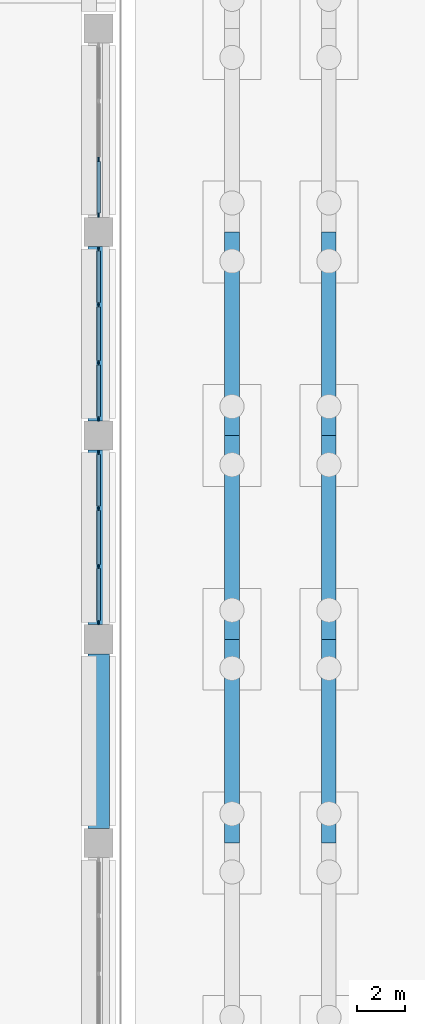
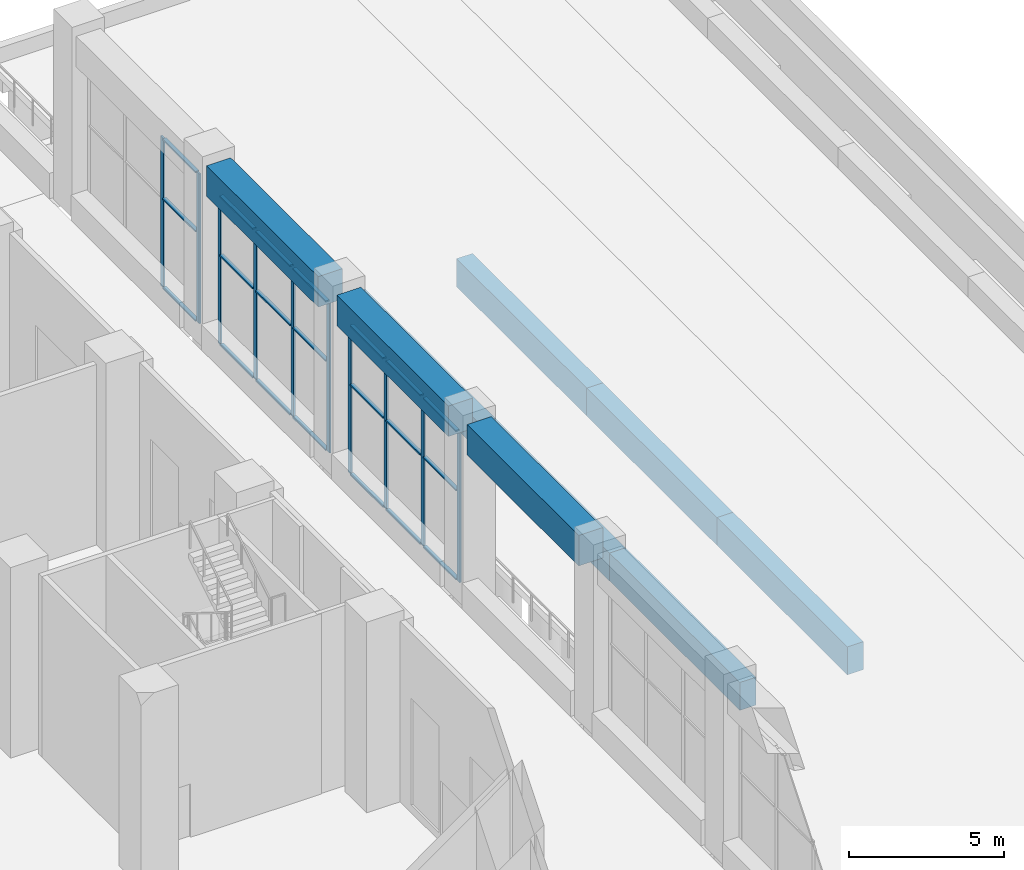
# One storey, part 10 of 53: 31 members, 9 beams, 3 elements without a shape of their own.
"""IFC4 building model written with IfcOpenShell, lengths in metres."""

from ifc_helpers import new_model, si_unit, direction, frame, origin, origin_2d, place, context, subcontext, project, spatial, rectangle, extrude, material, material_profile, profile_set, type_object, element, aggregate, save


model = new_model("IFC4")

# Units and contexts
model_context = context("Model", 3, precision=1e-05, world=origin(), true_north=direction((0.0, 1.0)))
body_context = subcontext(model_context, "Body", "Model", "MODEL_VIEW")
ifc_project = project(units=[si_unit("LENGTHUNIT", "METRE"), si_unit("AREAUNIT", "SQUARE_METRE"), si_unit("VOLUMEUNIT", "CUBIC_METRE"), si_unit("PLANEANGLEUNIT", "RADIAN"), si_unit("MASSUNIT", "GRAM", prefix="KILO")], contexts=[model_context])

# Site, building, storey
site_placement = place(None, origin())
site = spatial("IfcSite", under=ifc_project, at=site_placement, CompositionType="ELEMENT")
building_placement = place(site_placement, origin())
building = spatial("IfcBuilding", under=site, at=building_placement, Name="Vermilion Ogive Tower", CompositionType="ELEMENT")
storey_placement = place(building_placement, origin())
storey = spatial("IfcBuildingStorey", under=building, at=storey_placement, Name="L00", CompositionType="ELEMENT", Elevation=0.0)

# Beams
ifc_material_1 = material(Name="Concrete B45", Category="concrete")
ifc_material_profile_1 = material_profile(ifc_material_1, rectangle(XDim=0.89990234375, YDim=1.199951171875, at=origin_2d()), Name="RC 900x1200")
ifc_profile_set_1 = profile_set([ifc_material_profile_1], Name="Concrete B45")
beam_type_1 = type_object("IfcBeamType", Name="Arcade edge beam AB1 900x1200", PredefinedType="BEAM", material=ifc_profile_set_1)
beam_1_placement = place(storey_placement, frame((58.800048828125, -3.60009765625, 6.5), z_axis=(0.0, 1.0, 0.0), x_axis=(-1.0, 0.0, 0.0)))
element("IfcBeam", 1, at=beam_1_placement, inside=storey, type_object=beam_type_1, Name="Arcade edge beam L00 04", PredefinedType="BEAM", context=body_context, shape_type="SweptSolid", body=[
    extrude(rectangle(XDim=0.89990234375, YDim=1.199951171875, at=origin_2d()), origin(), (0.0, 0.0, 1.0), 7.2001953125),
])
for number, where, z_axis, x_axis, name in (
    (2, (58.800048828125, 4.800048828125, 6.5), (0.0, 1.0, 0.0), (-1.0, 0.0, 0.0), "Arcade edge beam L00 05"),
    (3, (58.800048828125, 13.199951171875, 6.5), (0.0, 1.0, 0.0), (-1.0, 0.0, 0.0), "Arcade edge beam L00 06"),
):
    element("IfcBeam", number, at=place(storey_placement, frame(where, z_axis=z_axis, x_axis=x_axis)), inside=storey, type_object=beam_type_1, Name=name, PredefinedType="BEAM", context=body_context, shape_type="SweptSolid", body=[
        extrude(rectangle(XDim=0.89990234375, YDim=1.199951171875, at=origin_2d()), origin(), (0.0, 0.0, 1.0), 7.199951171875),
    ])

# Curtain wall, members
ifc_material_2 = material(Name="Clear double glazing in aluminium frame", Category="aluminium")
curtain_wall_type = type_object("IfcCurtainWallType", Name="Curtain wall CW2", PredefinedType="NOTDEFINED", material=ifc_material_2)
curtain_wall_1_placement = place(storey_placement, origin())
curtain_wall_1 = element("IfcCurtainWall", 4, at=curtain_wall_1_placement, inside=storey, type_object=curtain_wall_type, Name="CW2 arcade glazing L00 5", PredefinedType="NOTDEFINED")
ifc_material_3 = material(Name="Aluminium mullion", Category="aluminium")
ifc_material_profile_2 = material_profile(ifc_material_3, rectangle(XDim=0.06005859375, YDim=0.179931640625, at=origin_2d()), Name="AL 60x180")
ifc_profile_set_2 = profile_set([ifc_material_profile_2], Name="Aluminium mullion")
member_type_1 = type_object("IfcMemberType", Name="CW2 mullion 60x180", PredefinedType="MULLION", material=ifc_profile_set_2)
member_1_placement = place(storey_placement, frame((58.800048828125, 4.889892578125, 0.0), z_axis=(0.0, 0.0, 1.0), x_axis=(-1.0, 0.0, 0.0)))
member_1 = element("IfcMember", 5, at=member_1_placement, type_object=member_type_1, Name="CW2-005 mullion 1", PredefinedType="MULLION", context=body_context, shape_type="SweptSolid", body=[
    extrude(rectangle(XDim=0.06005859375, YDim=0.179931640625, at=origin_2d()), origin(), (0.0, 0.0, 1.0), 5.89990234375),
])
member_2_placement = place(storey_placement, frame((58.800048828125, 7.199951171875, 0.0), z_axis=(0.0, 0.0, 1.0), x_axis=(-1.0, 0.0, 0.0)))
member_2 = element("IfcMember", 6, at=member_2_placement, type_object=member_type_1, Name="CW2-005 mullion 2", PredefinedType="MULLION", context=body_context, shape_type="SweptSolid", body=[
    extrude(rectangle(XDim=0.06005859375, YDim=0.179931640625, at=origin_2d()), origin(), (0.0, 0.0, 1.0), 5.89990234375),
])
member_3_placement = place(storey_placement, frame((58.800048828125, 9.60009765625, 0.0), z_axis=(0.0, 0.0, 1.0), x_axis=(-1.0, 0.0, 0.0)))
member_3 = element("IfcMember", 7, at=member_3_placement, type_object=member_type_1, Name="CW2-005 mullion 3", PredefinedType="MULLION", context=body_context, shape_type="SweptSolid", body=[
    extrude(rectangle(XDim=0.06005859375, YDim=0.179931640625, at=origin_2d()), origin(), (0.0, 0.0, 1.0), 5.89990234375),
])
member_4_placement = place(storey_placement, frame((58.800048828125, 11.909912109375, 0.0), z_axis=(0.0, 0.0, 1.0), x_axis=(-1.0, 0.0, 0.0)))
member_4 = element("IfcMember", 8, at=member_4_placement, type_object=member_type_1, Name="CW2-005 mullion 4", PredefinedType="MULLION", context=body_context, shape_type="SweptSolid", body=[
    extrude(rectangle(XDim=0.06005859375, YDim=0.179931640625, at=origin_2d()), origin(), (0.0, 0.0, 1.0), 5.89990234375),
])

curtain_wall_2_placement = place(storey_placement, origin())
curtain_wall_2 = element("IfcCurtainWall", 9, at=curtain_wall_2_placement, inside=storey, type_object=curtain_wall_type, Name="CW2 arcade glazing L00 6", PredefinedType="NOTDEFINED")
member_5_placement = place(storey_placement, frame((58.800048828125, 13.2900390625, 0.0), z_axis=(0.0, 0.0, 1.0), x_axis=(-1.0, 0.0, 0.0)))
member_5 = element("IfcMember", 10, at=member_5_placement, type_object=member_type_1, Name="CW2-006 mullion 1", PredefinedType="MULLION", context=body_context, shape_type="SweptSolid", body=[
    extrude(rectangle(XDim=0.06005859375, YDim=0.179931640625, at=origin_2d()), origin(), (0.0, 0.0, 1.0), 5.89990234375),
])
member_6_placement = place(storey_placement, frame((58.800048828125, 15.60009765625, 0.0), z_axis=(0.0, 0.0, 1.0), x_axis=(-1.0, 0.0, 0.0)))
member_6 = element("IfcMember", 11, at=member_6_placement, type_object=member_type_1, Name="CW2-006 mullion 2", PredefinedType="MULLION", context=body_context, shape_type="SweptSolid", body=[
    extrude(rectangle(XDim=0.06005859375, YDim=0.179931640625, at=origin_2d()), origin(), (0.0, 0.0, 1.0), 5.89990234375),
])
member_7_placement = place(storey_placement, frame((58.800048828125, 18.0, 0.0), z_axis=(0.0, 0.0, 1.0), x_axis=(-1.0, 0.0, 0.0)))
member_7 = element("IfcMember", 12, at=member_7_placement, type_object=member_type_1, Name="CW2-006 mullion 3", PredefinedType="MULLION", context=body_context, shape_type="SweptSolid", body=[
    extrude(rectangle(XDim=0.06005859375, YDim=0.179931640625, at=origin_2d()), origin(), (0.0, 0.0, 1.0), 5.89990234375),
])
member_8_placement = place(storey_placement, frame((58.800048828125, 20.31005859375, 0.0), z_axis=(0.0, 0.0, 1.0), x_axis=(-1.0, 0.0, 0.0)))
member_8 = element("IfcMember", 13, at=member_8_placement, type_object=member_type_1, Name="CW2-006 mullion 4", PredefinedType="MULLION", context=body_context, shape_type="SweptSolid", body=[
    extrude(rectangle(XDim=0.06005859375, YDim=0.179931640625, at=origin_2d()), origin(), (0.0, 0.0, 1.0), 5.89990234375),
])

curtain_wall_3_placement = place(storey_placement, origin())
curtain_wall_3 = element("IfcCurtainWall", 14, at=curtain_wall_3_placement, inside=storey, type_object=curtain_wall_type, Name="CW2 arcade glazing L00 7", PredefinedType="NOTDEFINED")
member_9_placement = place(storey_placement, frame((58.800048828125, 21.68994140625, 0.0), z_axis=(0.0, 0.0, 1.0), x_axis=(-1.0, 0.0, 0.0)))
member_9 = element("IfcMember", 15, at=member_9_placement, type_object=member_type_1, Name="CW2-007 mullion 1", PredefinedType="MULLION", context=body_context, shape_type="SweptSolid", body=[
    extrude(rectangle(XDim=0.06005859375, YDim=0.179931640625, at=origin_2d()), origin(), (0.0, 0.0, 1.0), 5.89990234375),
])
member_10_placement = place(storey_placement, frame((58.800048828125, 24.0, 0.0), z_axis=(0.0, 0.0, 1.0), x_axis=(-1.0, 0.0, 0.0)))
member_10 = element("IfcMember", 16, at=member_10_placement, type_object=member_type_1, Name="CW2-007 mullion 2", PredefinedType="MULLION", context=body_context, shape_type="SweptSolid", body=[
    extrude(rectangle(XDim=0.06005859375, YDim=0.179931640625, at=origin_2d()), origin(), (0.0, 0.0, 1.0), 5.89990234375),
])

# Member
ifc_material_4 = material(Name="Aluminium transom", Category="aluminium")
ifc_material_profile_3 = material_profile(ifc_material_4, rectangle(XDim=0.139892578125, YDim=0.06005859375, at=origin_2d()), Name="AL 60x140")
ifc_profile_set_3 = profile_set([ifc_material_profile_3], Name="Aluminium transom")
member_type_2 = type_object("IfcMemberType", Name="CW2 transom 60x140", PredefinedType="USERDEFINED", material=ifc_profile_set_3)
member_11_placement = place(storey_placement, frame((58.800048828125, 4.97998046875, 0.030029296875), z_axis=(0.0, 1.0, 0.0), x_axis=(-1.0, 0.0, 0.0)))
member_11 = element("IfcMember", 17, at=member_11_placement, type_object=member_type_2, Name="CW2-005 transom 1.1", ObjectType="TRANSOM", PredefinedType="USERDEFINED", context=body_context, shape_type="SweptSolid", body=[
    extrude(rectangle(XDim=0.139892578125, YDim=0.06005859375, at=origin_2d()), origin(), (0.0, 0.0, 1.0), 2.130126953125),
])

member_12_placement = place(storey_placement, frame((58.800048828125, 4.97998046875, 3.5400390625), z_axis=(0.0, 1.0, 0.0), x_axis=(-1.0, 0.0, 0.0)))
member_12 = element("IfcMember", 18, at=member_12_placement, type_object=member_type_2, Name="CW2-005 transom 1.2", ObjectType="TRANSOM", PredefinedType="USERDEFINED", context=body_context, shape_type="SweptSolid", body=[
    extrude(rectangle(XDim=0.139892578125, YDim=0.06005859375, at=origin_2d()), origin(), (0.0, 0.0, 1.0), 2.130126953125),
])

member_13_placement = place(storey_placement, frame((58.800048828125, 4.97998046875, 5.8701171875), z_axis=(0.0, 1.0, 0.0), x_axis=(-1.0, 0.0, 0.0)))
member_13 = element("IfcMember", 19, at=member_13_placement, type_object=member_type_2, Name="CW2-005 transom 1.3", ObjectType="TRANSOM", PredefinedType="USERDEFINED", context=body_context, shape_type="SweptSolid", body=[
    extrude(rectangle(XDim=0.139892578125, YDim=0.06005859375, at=origin_2d()), origin(), (0.0, 0.0, 1.0), 2.130126953125),
])

member_14_placement = place(storey_placement, frame((58.800048828125, 7.2900390625, 0.030029296875), z_axis=(0.0, 1.0, 0.0), x_axis=(-1.0, 0.0, 0.0)))
member_14 = element("IfcMember", 20, at=member_14_placement, type_object=member_type_2, Name="CW2-005 transom 2.1", ObjectType="TRANSOM", PredefinedType="USERDEFINED", context=body_context, shape_type="SweptSolid", body=[
    extrude(rectangle(XDim=0.139892578125, YDim=0.06005859375, at=origin_2d()), origin(), (0.0, 0.0, 1.0), 2.219970703125),
])

member_15_placement = place(storey_placement, frame((58.800048828125, 7.2900390625, 3.5400390625), z_axis=(0.0, 1.0, 0.0), x_axis=(-1.0, 0.0, 0.0)))
member_15 = element("IfcMember", 21, at=member_15_placement, type_object=member_type_2, Name="CW2-005 transom 2.2", ObjectType="TRANSOM", PredefinedType="USERDEFINED", context=body_context, shape_type="SweptSolid", body=[
    extrude(rectangle(XDim=0.139892578125, YDim=0.06005859375, at=origin_2d()), origin(), (0.0, 0.0, 1.0), 2.219970703125),
])

member_16_placement = place(storey_placement, frame((58.800048828125, 7.2900390625, 5.8701171875), z_axis=(0.0, 1.0, 0.0), x_axis=(-1.0, 0.0, 0.0)))
member_16 = element("IfcMember", 22, at=member_16_placement, type_object=member_type_2, Name="CW2-005 transom 2.3", ObjectType="TRANSOM", PredefinedType="USERDEFINED", context=body_context, shape_type="SweptSolid", body=[
    extrude(rectangle(XDim=0.139892578125, YDim=0.06005859375, at=origin_2d()), origin(), (0.0, 0.0, 1.0), 2.219970703125),
])

member_17_placement = place(storey_placement, frame((58.800048828125, 9.68994140625, 0.030029296875), z_axis=(0.0, 1.0, 0.0), x_axis=(-1.0, 0.0, 0.0)))
member_17 = element("IfcMember", 23, at=member_17_placement, type_object=member_type_2, Name="CW2-005 transom 3.1", ObjectType="TRANSOM", PredefinedType="USERDEFINED", context=body_context, shape_type="SweptSolid", body=[
    extrude(rectangle(XDim=0.139892578125, YDim=0.06005859375, at=origin_2d()), origin(), (0.0, 0.0, 1.0), 2.130126953125),
])

member_18_placement = place(storey_placement, frame((58.800048828125, 9.68994140625, 3.5400390625), z_axis=(0.0, 1.0, 0.0), x_axis=(-1.0, 0.0, 0.0)))
member_18 = element("IfcMember", 24, at=member_18_placement, type_object=member_type_2, Name="CW2-005 transom 3.2", ObjectType="TRANSOM", PredefinedType="USERDEFINED", context=body_context, shape_type="SweptSolid", body=[
    extrude(rectangle(XDim=0.139892578125, YDim=0.06005859375, at=origin_2d()), origin(), (0.0, 0.0, 1.0), 2.130126953125),
])

member_19_placement = place(storey_placement, frame((58.800048828125, 9.68994140625, 5.8701171875), z_axis=(0.0, 1.0, 0.0), x_axis=(-1.0, 0.0, 0.0)))
member_19 = element("IfcMember", 25, at=member_19_placement, type_object=member_type_2, Name="CW2-005 transom 3.3", ObjectType="TRANSOM", PredefinedType="USERDEFINED", context=body_context, shape_type="SweptSolid", body=[
    extrude(rectangle(XDim=0.139892578125, YDim=0.06005859375, at=origin_2d()), origin(), (0.0, 0.0, 1.0), 2.130126953125),
])

aggregate(curtain_wall_1, [member_1, member_2, member_3, member_4, member_11, member_12, member_13, member_14, member_15, member_16, member_17, member_18, member_19])

member_20_placement = place(storey_placement, frame((58.800048828125, 13.3798828125, 0.030029296875), z_axis=(0.0, 1.0, 0.0), x_axis=(-1.0, 0.0, 0.0)))
member_20 = element("IfcMember", 26, at=member_20_placement, type_object=member_type_2, Name="CW2-006 transom 1.1", ObjectType="TRANSOM", PredefinedType="USERDEFINED", context=body_context, shape_type="SweptSolid", body=[
    extrude(rectangle(XDim=0.139892578125, YDim=0.06005859375, at=origin_2d()), origin(), (0.0, 0.0, 1.0), 2.130126953125),
])

member_21_placement = place(storey_placement, frame((58.800048828125, 13.3798828125, 3.5400390625), z_axis=(0.0, 1.0, 0.0), x_axis=(-1.0, 0.0, 0.0)))
member_21 = element("IfcMember", 27, at=member_21_placement, type_object=member_type_2, Name="CW2-006 transom 1.2", ObjectType="TRANSOM", PredefinedType="USERDEFINED", context=body_context, shape_type="SweptSolid", body=[
    extrude(rectangle(XDim=0.139892578125, YDim=0.06005859375, at=origin_2d()), origin(), (0.0, 0.0, 1.0), 2.130126953125),
])

member_22_placement = place(storey_placement, frame((58.800048828125, 13.3798828125, 5.8701171875), z_axis=(0.0, 1.0, 0.0), x_axis=(-1.0, 0.0, 0.0)))
member_22 = element("IfcMember", 28, at=member_22_placement, type_object=member_type_2, Name="CW2-006 transom 1.3", ObjectType="TRANSOM", PredefinedType="USERDEFINED", context=body_context, shape_type="SweptSolid", body=[
    extrude(rectangle(XDim=0.139892578125, YDim=0.06005859375, at=origin_2d()), origin(), (0.0, 0.0, 1.0), 2.130126953125),
])

member_23_placement = place(storey_placement, frame((58.800048828125, 15.68994140625, 0.030029296875), z_axis=(0.0, 1.0, 0.0), x_axis=(-1.0, 0.0, 0.0)))
member_23 = element("IfcMember", 29, at=member_23_placement, type_object=member_type_2, Name="CW2-006 transom 2.1", ObjectType="TRANSOM", PredefinedType="USERDEFINED", context=body_context, shape_type="SweptSolid", body=[
    extrude(rectangle(XDim=0.139892578125, YDim=0.06005859375, at=origin_2d()), origin(), (0.0, 0.0, 1.0), 2.219970703125),
])

member_24_placement = place(storey_placement, frame((58.800048828125, 15.68994140625, 3.5400390625), z_axis=(0.0, 1.0, 0.0), x_axis=(-1.0, 0.0, 0.0)))
member_24 = element("IfcMember", 30, at=member_24_placement, type_object=member_type_2, Name="CW2-006 transom 2.2", ObjectType="TRANSOM", PredefinedType="USERDEFINED", context=body_context, shape_type="SweptSolid", body=[
    extrude(rectangle(XDim=0.139892578125, YDim=0.06005859375, at=origin_2d()), origin(), (0.0, 0.0, 1.0), 2.219970703125),
])

member_25_placement = place(storey_placement, frame((58.800048828125, 15.68994140625, 5.8701171875), z_axis=(0.0, 1.0, 0.0), x_axis=(-1.0, 0.0, 0.0)))
member_25 = element("IfcMember", 31, at=member_25_placement, type_object=member_type_2, Name="CW2-006 transom 2.3", ObjectType="TRANSOM", PredefinedType="USERDEFINED", context=body_context, shape_type="SweptSolid", body=[
    extrude(rectangle(XDim=0.139892578125, YDim=0.06005859375, at=origin_2d()), origin(), (0.0, 0.0, 1.0), 2.219970703125),
])

member_26_placement = place(storey_placement, frame((58.800048828125, 18.090087890625, 0.030029296875), z_axis=(0.0, 1.0, 0.0), x_axis=(-1.0, 0.0, 0.0)))
member_26 = element("IfcMember", 32, at=member_26_placement, type_object=member_type_2, Name="CW2-006 transom 3.1", ObjectType="TRANSOM", PredefinedType="USERDEFINED", context=body_context, shape_type="SweptSolid", body=[
    extrude(rectangle(XDim=0.139892578125, YDim=0.06005859375, at=origin_2d()), origin(), (0.0, 0.0, 1.0), 2.1298828125),
])

member_27_placement = place(storey_placement, frame((58.800048828125, 18.090087890625, 3.5400390625), z_axis=(0.0, 1.0, 0.0), x_axis=(-1.0, 0.0, 0.0)))
member_27 = element("IfcMember", 33, at=member_27_placement, type_object=member_type_2, Name="CW2-006 transom 3.2", ObjectType="TRANSOM", PredefinedType="USERDEFINED", context=body_context, shape_type="SweptSolid", body=[
    extrude(rectangle(XDim=0.139892578125, YDim=0.06005859375, at=origin_2d()), origin(), (0.0, 0.0, 1.0), 2.1298828125),
])

member_28_placement = place(storey_placement, frame((58.800048828125, 18.090087890625, 5.8701171875), z_axis=(0.0, 1.0, 0.0), x_axis=(-1.0, 0.0, 0.0)))
member_28 = element("IfcMember", 34, at=member_28_placement, type_object=member_type_2, Name="CW2-006 transom 3.3", ObjectType="TRANSOM", PredefinedType="USERDEFINED", context=body_context, shape_type="SweptSolid", body=[
    extrude(rectangle(XDim=0.139892578125, YDim=0.06005859375, at=origin_2d()), origin(), (0.0, 0.0, 1.0), 2.1298828125),
])

aggregate(curtain_wall_2, [member_5, member_6, member_7, member_8, member_20, member_21, member_22, member_23, member_24, member_25, member_26, member_27, member_28])

member_29_placement = place(storey_placement, frame((58.800048828125, 21.780029296875, 0.030029296875), z_axis=(0.0, 1.0, 0.0), x_axis=(-1.0, 0.0, 0.0)))
member_29 = element("IfcMember", 35, at=member_29_placement, type_object=member_type_2, Name="CW2-007 transom 1.1", ObjectType="TRANSOM", PredefinedType="USERDEFINED", context=body_context, shape_type="SweptSolid", body=[
    extrude(rectangle(XDim=0.139892578125, YDim=0.06005859375, at=origin_2d()), origin(), (0.0, 0.0, 1.0), 2.1298828125),
])

member_30_placement = place(storey_placement, frame((58.800048828125, 21.780029296875, 3.5400390625), z_axis=(0.0, 1.0, 0.0), x_axis=(-1.0, 0.0, 0.0)))
member_30 = element("IfcMember", 36, at=member_30_placement, type_object=member_type_2, Name="CW2-007 transom 1.2", ObjectType="TRANSOM", PredefinedType="USERDEFINED", context=body_context, shape_type="SweptSolid", body=[
    extrude(rectangle(XDim=0.139892578125, YDim=0.06005859375, at=origin_2d()), origin(), (0.0, 0.0, 1.0), 2.1298828125),
])

member_31_placement = place(storey_placement, frame((58.800048828125, 21.780029296875, 5.8701171875), z_axis=(0.0, 1.0, 0.0), x_axis=(-1.0, 0.0, 0.0)))
member_31 = element("IfcMember", 37, at=member_31_placement, type_object=member_type_2, Name="CW2-007 transom 1.3", ObjectType="TRANSOM", PredefinedType="USERDEFINED", context=body_context, shape_type="SweptSolid", body=[
    extrude(rectangle(XDim=0.139892578125, YDim=0.06005859375, at=origin_2d()), origin(), (0.0, 0.0, 1.0), 2.1298828125),
])

aggregate(curtain_wall_3, [member_9, member_10, member_29, member_30, member_31])

# Beams
ifc_material_5 = material(Name="Concrete B45", Category="concrete")
ifc_material_profile_4 = material_profile(ifc_material_5, rectangle(XDim=0.60009765625, YDim=1.10009765625, at=origin_2d()), Name="RC 600x1100")
ifc_profile_set_4 = profile_set([ifc_material_profile_4], Name="Concrete B45")
beam_type_2 = type_object("IfcBeamType", Name="Quay wharf beam QB1 600x1100", PredefinedType="BEAM", material=ifc_profile_set_4)
beam_2_placement = place(storey_placement, frame((64.300048828125, -4.199951171875, -0.85009765625), z_axis=(0.0, 1.0, 0.0), x_axis=(-1.0, 0.0, 0.0)))
element("IfcBeam", 38, at=beam_2_placement, inside=storey, type_object=beam_type_2, Name="Quay wharf beam SITE-PROM-L0 5", PredefinedType="BEAM", context=body_context, shape_type="SweptSolid", body=[
    extrude(rectangle(XDim=0.60009765625, YDim=1.10009765625, at=origin_2d()), origin(), (0.0, 0.0, 1.0), 8.39990234375),
])
beam_3_placement = place(storey_placement, frame((64.300048828125, 4.199951171875, -0.85009765625), z_axis=(0.0, 1.0, 0.0), x_axis=(-1.0, 0.0, 0.0)))
element("IfcBeam", 39, at=beam_3_placement, inside=storey, type_object=beam_type_2, Name="Quay wharf beam SITE-PROM-L0 6", PredefinedType="BEAM", context=body_context, shape_type="SweptSolid", body=[
    extrude(rectangle(XDim=0.60009765625, YDim=1.10009765625, at=origin_2d()), origin(), (0.0, 0.0, 1.0), 8.400146484375),
])
for number, where, z_axis, x_axis, name in (
    (40, (64.300048828125, 12.60009765625, -0.85009765625), (0.0, 1.0, 0.0), (-1.0, 0.0, 0.0), "Quay wharf beam SITE-PROM-L0 7"),
    (41, (68.300048828125, -4.199951171875, -0.85009765625), (0.0, 1.0, 0.0), (-1.0, 0.0, 0.0), "Quay wharf beam SITE-PROM-L1 5"),
):
    element("IfcBeam", number, at=place(storey_placement, frame(where, z_axis=z_axis, x_axis=x_axis)), inside=storey, type_object=beam_type_2, Name=name, PredefinedType="BEAM", context=body_context, shape_type="SweptSolid", body=[
        extrude(rectangle(XDim=0.60009765625, YDim=1.10009765625, at=origin_2d()), origin(), (0.0, 0.0, 1.0), 8.39990234375),
    ])
beam_4_placement = place(storey_placement, frame((68.300048828125, 4.199951171875, -0.85009765625), z_axis=(0.0, 1.0, 0.0), x_axis=(-1.0, 0.0, 0.0)))
element("IfcBeam", 42, at=beam_4_placement, inside=storey, type_object=beam_type_2, Name="Quay wharf beam SITE-PROM-L1 6", PredefinedType="BEAM", context=body_context, shape_type="SweptSolid", body=[
    extrude(rectangle(XDim=0.60009765625, YDim=1.10009765625, at=origin_2d()), origin(), (0.0, 0.0, 1.0), 8.400146484375),
])
beam_5_placement = place(storey_placement, frame((68.300048828125, 12.60009765625, -0.85009765625), z_axis=(0.0, 1.0, 0.0), x_axis=(-1.0, 0.0, 0.0)))
element("IfcBeam", 43, at=beam_5_placement, inside=storey, type_object=beam_type_2, Name="Quay wharf beam SITE-PROM-L1 7", PredefinedType="BEAM", context=body_context, shape_type="SweptSolid", body=[
    extrude(rectangle(XDim=0.60009765625, YDim=1.10009765625, at=origin_2d()), origin(), (0.0, 0.0, 1.0), 8.39990234375),
])

save(model, "model.ifc")
